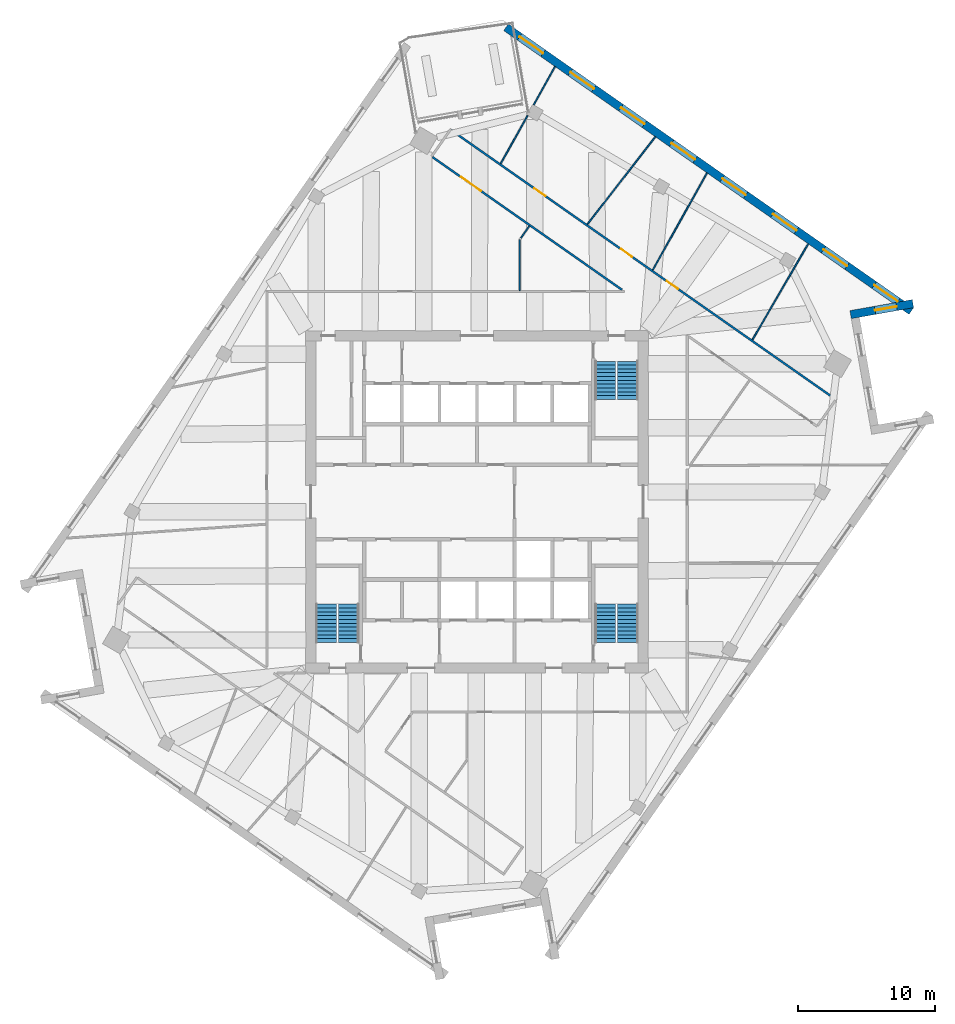
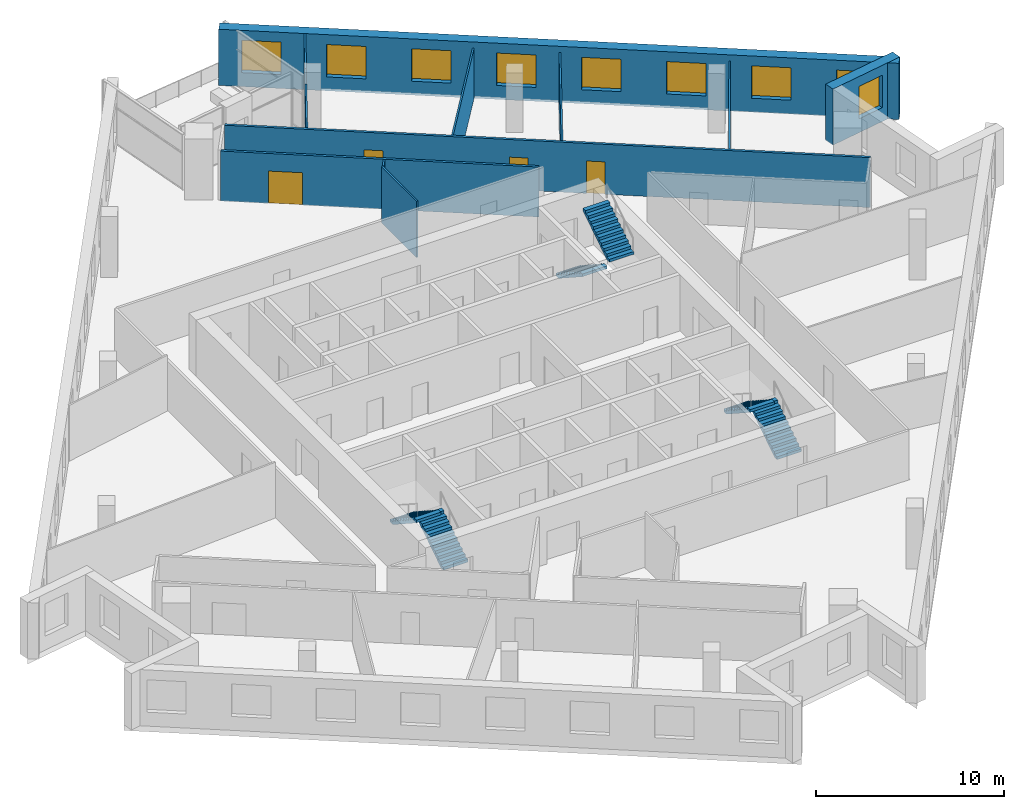
# One storey, part 11 of 13: 11 walls, 9 windows, 6 stair flights, 4 doors, 13 openings, 3 elements without a shape of their own.
"""IFC4 building model written with IfcOpenShell, lengths in metres."""

import ifcopenshell
import ifcopenshell.guid

model = None  # the IFC model being written
_history = None  # IfcOwnerHistory: only IFC2X3 demands one
_inside = {}  # id of a spatial element -> (the spatial element, [elements in it])
_under = {}  # id of a project, library or spatial element -> (it, [spatial elements below it])
_declared = {}  # id of a project -> (the project, [libraries it declares])
_typed = {}  # id of a type object -> (the type object, [elements of that type])
_made_of = {}  # id of a material, layer set ... -> (it, [elements and type objects made of it])


def new_model(schema):
    """Start an empty IFC model of exactly this schema.

    Asked for "IFC4X3", IfcOpenShell would pick the latest addendum, in which some entities
    have other attributes; the version numbers below select the first issue.
    IFC2X3 requires an IfcOwnerHistory on every rooted entity: one is made here for all.
    """
    global model, _history
    if schema == "IFC4X3":
        model = ifcopenshell.file(schema_version=(4, 3, 0, 0))
    else:
        model = ifcopenshell.file(schema=schema)
    _inside.clear()
    _under.clear()
    _declared.clear()
    _typed.clear()
    _made_of.clear()
    _history = None
    if model.schema == "IFC2X3":
        org = make("IfcOrganization", Name="unknown")
        user = make(
            "IfcPersonAndOrganization",
            ThePerson=make("IfcPerson", FamilyName="unknown"),
            TheOrganization=org,
        )
        app = make(
            "IfcApplication",
            ApplicationDeveloper=org,
            Version="unknown",
            ApplicationFullName="unknown",
            ApplicationIdentifier="unknown",
        )
        _history = make(
            "IfcOwnerHistory",
            OwningUser=user,
            OwningApplication=app,
            ChangeAction="ADDED",
            CreationDate=0,
        )
    return model


def make(cls, **values):
    """One entity of the class cls with the attributes given. An attribute that is None is left unset."""
    return model.create_entity(
        cls, **{name: value for name, value in values.items() if value is not None}
    )


def rooted(cls, **values):
    """An entity with a GlobalId (a new one), such as an element, a storey or a relation."""
    return make(cls, GlobalId=ifcopenshell.guid.new(), OwnerHistory=_history, **values)


def si_unit(unit_type, name, prefix=None):
    """IfcSIUnit, for example si_unit("LENGTHUNIT", "METRE", prefix="MILLI")."""
    return make("IfcSIUnit", UnitType=unit_type, Prefix=prefix, Name=name)


def assignment(units):
    """IfcUnitAssignment: the units of a project."""
    return None if units is None else make("IfcUnitAssignment", Units=units)


def point(xyz):
    """IfcCartesianPoint."""
    return None if xyz is None else make("IfcCartesianPoint", Coordinates=xyz)


def direction(xyz):
    """IfcDirection."""
    return None if xyz is None else make("IfcDirection", DirectionRatios=xyz)


def frame(location, z_axis=None, x_axis=None):
    """IfcAxis2Placement3D, a coordinate frame: its origin and axes. An axis left out is left unset."""
    return make(
        "IfcAxis2Placement3D",
        Location=point(location),
        Axis=direction(z_axis),
        RefDirection=direction(x_axis),
    )


def frame_2d(location, x_axis=None):
    """IfcAxis2Placement2D, a coordinate frame in the plane: its origin and x axis."""
    return make(
        "IfcAxis2Placement2D", Location=point(location), RefDirection=direction(x_axis)
    )


def origin():
    """The frame at (0, 0, 0) with its axes left unset."""
    return frame((0.0, 0.0, 0.0))


def place(relative_to, where):
    """IfcLocalPlacement: puts the frame where relative to a parent placement (None: the world)."""
    return make(
        "IfcLocalPlacement", PlacementRelTo=relative_to, RelativePlacement=where
    )


def context(
    kind, dimensions, precision=None, world=None, true_north=None, identifier=None
):
    """IfcGeometricRepresentationContext, for example the 3D "Model" context."""
    return make(
        "IfcGeometricRepresentationContext",
        ContextIdentifier=identifier,
        ContextType=kind,
        CoordinateSpaceDimension=dimensions,
        Precision=precision,
        WorldCoordinateSystem=world,
        TrueNorth=true_north,
    )


def subcontext(parent, identifier, kind, view, scale=None):
    """IfcGeometricRepresentationSubContext, for example "Body" below "Model"."""
    return make(
        "IfcGeometricRepresentationSubContext",
        ContextIdentifier=identifier,
        ContextType=kind,
        ParentContext=parent,
        TargetScale=scale,
        TargetView=view,
    )


def project(units=None, contexts=None):
    """IfcProject with its units and contexts."""
    return rooted(
        "IfcProject",
        Name="project",
        RepresentationContexts=contexts,
        UnitsInContext=assignment(units),
    )


def spatial(cls, under=None, at=None, **own):
    """A site, building, storey or space (cls), placed at a placement, below another one or the project."""
    s = rooted(cls, ObjectPlacement=at, **own)
    if under is not None:
        _under.setdefault(under.id(), (under, []))[1].append(s)
    return s


def polyline(points):
    """IfcPolyline through the points."""
    return make("IfcPolyline", Points=[point(p) for p in points])


def profile(cls, at=None, kind="AREA", **sizes):
    """A parametric profile (cls). Its sizes go by their IFC names, for example OverallWidth=200.0."""
    return make(cls, ProfileType=kind, Position=at, **sizes)


def rectangle(**sizes):
    """IfcRectangleProfileDef."""
    return profile("IfcRectangleProfileDef", **sizes)


def outline(outer, holes=None, kind="AREA"):
    """IfcArbitraryClosedProfileDef: a profile drawn as a closed curve; with holes, ...WithVoids."""
    if holes is None:
        return make("IfcArbitraryClosedProfileDef", ProfileType=kind, OuterCurve=outer)
    return make(
        "IfcArbitraryProfileDefWithVoids",
        ProfileType=kind,
        OuterCurve=outer,
        InnerCurves=holes,
    )


def extrude(swept, where, along, depth):
    """IfcExtrudedAreaSolid: the profile swept, set in the frame where, extruded along a direction by depth."""
    return make(
        "IfcExtrudedAreaSolid",
        SweptArea=swept,
        Position=where,
        ExtrudedDirection=direction(along),
        Depth=depth,
    )


def shape(context_of_items, identifier, shape_type, items):
    """IfcShapeRepresentation: the items that make up one representation, for example the "Body"."""
    return make(
        "IfcShapeRepresentation",
        ContextOfItems=context_of_items,
        RepresentationIdentifier=identifier,
        RepresentationType=shape_type,
        Items=items,
    )


def material(Name=None, Category=None):
    """IfcMaterial."""
    return make("IfcMaterial", Name=Name, Category=Category)


def layer(
    of_material, thickness, ventilated=None, Name=None, Category=None, Priority=None
):
    """IfcMaterialLayer: one layer of a wall or slab, of a material (None: an air gap)."""
    return make(
        "IfcMaterialLayer",
        Material=of_material,
        LayerThickness=thickness,
        IsVentilated=ventilated,
        Name=Name,
        Category=Category,
        Priority=Priority,
    )


def layer_set(layers, Name=None):
    """IfcMaterialLayerSet."""
    return make("IfcMaterialLayerSet", MaterialLayers=layers, LayerSetName=Name)


def made_of(thing, what):
    """Note that an element or type object is made of a material, layer set ...; save() writes the relation."""
    if what is not None:
        _made_of.setdefault(what.id(), (what, []))[1].append(thing)
    return thing


def type_object(cls, material=None, **own):
    """A type object (cls), such as IfcWallType, which elements share."""
    return made_of(rooted(cls, **own), material)


def element(
    cls,
    number,
    at=None,
    inside=None,
    cuts=None,
    type_object=None,
    material=None,
    context=None,
    identifier="Body",
    shape_type=None,
    held_by="IfcProductDefinitionShape",
    body=None,
    shapes=None,
    **own,
):
    """One element of the class cls, such as IfcWall. Its Tag is "e" and its number.

    at: its placement. inside: the storey or other place that contains it. cuts: it is an
    opening in that element (IfcRelVoidsElement). A single representation is given by context,
    identifier, shape_type and body (its items); several are given by shapes. held_by: the class
    of the entity that holds the representations. save() writes the other relations.
    """
    e = rooted(cls, Tag="e%d" % number, ObjectPlacement=at, **own)
    if body is not None:
        shapes = [shape(context, identifier, shape_type, body)]
    if shapes is not None:
        e.Representation = make(held_by, Representations=shapes)
    if inside is not None:
        _inside.setdefault(inside.id(), (inside, []))[1].append(e)
    if cuts is not None:
        rooted(
            "IfcRelVoidsElement", RelatingBuildingElement=cuts, RelatedOpeningElement=e
        )
    if type_object is not None:
        _typed.setdefault(type_object.id(), (type_object, []))[1].append(e)
    return made_of(e, material)


def fill(opening, filler):
    """IfcRelFillsElement: the door or window that sits in an opening."""
    return rooted(
        "IfcRelFillsElement",
        RelatingOpeningElement=opening,
        RelatedBuildingElement=filler,
    )


def aggregate(whole, parts):
    """IfcRelAggregates: a whole, such as a stair, and the parts it consists of."""
    return rooted("IfcRelAggregates", RelatingObject=whole, RelatedObjects=parts)


def save(model, path):
    """Write the relations noted so far, then the file.

    IfcRelAggregates (storeys below a building ...), IfcRelContainedInSpatialStructure (elements
    in a storey), IfcRelDefinesByType, IfcRelAssociatesMaterial and IfcRelDeclares: one each for
    every whole, place, type object, material and project.
    """
    for whole, parts in _under.values():
        aggregate(whole, parts)
    for where, things in _inside.values():
        rooted(
            "IfcRelContainedInSpatialStructure",
            RelatedElements=things,
            RelatingStructure=where,
        )
    for kind, things in _typed.values():
        rooted("IfcRelDefinesByType", RelatedObjects=things, RelatingType=kind)
    for what, things in _made_of.values():
        rooted("IfcRelAssociatesMaterial", RelatedObjects=things, RelatingMaterial=what)
    for by, libraries in _declared.values():
        rooted("IfcRelDeclares", RelatingContext=by, RelatedDefinitions=libraries)
    model.write(path)


model = new_model("IFC4")

# Units and contexts
model_context = context("Model", 3, precision=1e-05, world=origin(), true_north=direction((0.0, 1.0)))
body_context = subcontext(model_context, "Body", "Model", "MODEL_VIEW")
ifc_project = project(units=[si_unit("LENGTHUNIT", "METRE"), si_unit("AREAUNIT", "SQUARE_METRE"), si_unit("VOLUMEUNIT", "CUBIC_METRE"), si_unit("PLANEANGLEUNIT", "RADIAN"), si_unit("MASSUNIT", "GRAM", prefix="KILO")], contexts=[model_context])

# Site, building, storey
site_placement = place(None, origin())
site = spatial("IfcSite", under=ifc_project, at=site_placement, CompositionType="ELEMENT")
building_placement = place(site_placement, origin())
building = spatial("IfcBuilding", under=site, at=building_placement, Name="Dilmun Exchange Tower", CompositionType="ELEMENT")
storey_placement = place(building_placement, frame((0.0, 0.0, 246.89990234375)))
storey = spatial("IfcBuildingStorey", under=building, at=storey_placement, Name="L58", CompositionType="ELEMENT", Elevation=246.89990234375)

# Wall, opening, door
ifc_material_1 = material(Name="Corridor wall 150")
ifc_layer_1 = layer(ifc_material_1, 0.14990234375)
ifc_layer_set_1 = layer_set([ifc_layer_1], Name="Corridor wall 150")
wall_type_1 = type_object("IfcWallType", Name="Corridor wall 150", PredefinedType="PARTITIONING", material=ifc_layer_set_1)
wall_1_placement = place(storey_placement, frame((-3.265625, 25.260009765625, 0.0), z_axis=(0.0, 0.0, 1.0), x_axis=(0.819150723298, -0.573578322917, 0.0)))
wall_1 = element("IfcWall", 1, at=wall_1_placement, inside=storey, type_object=wall_type_1, Name="Corridor wall", PredefinedType="PARTITIONING", context=body_context, shape_type="SweptSolid", body=[
    extrude(rectangle(XDim=16.95263671875, YDim=0.14990234375, at=frame_2d((8.476318359375, 0.0))), origin(), (0.0, 0.0, 1.0), 3.239990234375),
])
opening_1_placement = place(wall_1_placement, frame((2.550048828125, 0.0, 0.0)))
opening_1 = element("IfcOpeningElement", 2, at=opening_1_placement, cuts=wall_1, Name="Opening TF57-D07", PredefinedType="OPENING", context=body_context, shape_type="SweptSolid", body=[
    extrude(rectangle(XDim=1.800048828125, YDim=2.10009765625, at=frame_2d((0.89990234375, 1.050048828125))), frame((0.0, 0.0849609375, 0.0), z_axis=(0.0, -1.0, 0.0), x_axis=(1.0, 0.0, 0.0)), (0.0, 0.0, 1.0), 0.169921875),
])
ifc_material_2 = material(Name="Fire door pair 1800 x 2100")
door_type_1 = type_object("IfcDoorType", Name="Fire door pair 1800 x 2100", OperationType="NOTDEFINED", PredefinedType="DOOR", material=ifc_material_2)
door_1_placement = place(opening_1_placement, frame((1.800048828125, 0.0, 0.0), z_axis=(0.0, 0.0, 1.0), x_axis=(-1.0, 0.0, 0.0)))
door_1 = element("IfcDoor", 3, at=door_1_placement, inside=storey, type_object=door_type_1, Name="Door TF57-D07", OperationType="DOUBLE_DOOR_SINGLE_SWING", OverallHeight=2.10009765625, OverallWidth=1.800048828125, PredefinedType="DOOR", context=body_context, shape_type="SweptSolid", body=[
    extrude(rectangle(XDim=1.800048828125, YDim=2.10009765625, at=frame_2d((0.89990234375, 1.050048828125))), frame((0.0, 0.02490234375, 0.0), z_axis=(0.0, -1.0, 0.0), x_axis=(1.0, 0.0, 0.0)), (0.0, 0.0, 1.0), 0.050048828125),
])
fill(opening_1, door_1)

# Wall, openings, doors
wall_2_placement = place(storey_placement, frame((-1.8896484375, 27.22607421875, 0.0), z_axis=(0.0, 0.0, 1.0), x_axis=(0.819163235761, -0.573560452941, 0.0)))
wall_2 = element("IfcWall", 4, at=wall_2_placement, inside=storey, type_object=wall_type_1, Name="Corridor wall", PredefinedType="PARTITIONING", context=body_context, shape_type="SweptSolid", body=[
    extrude(rectangle(XDim=34.403076171875, YDim=0.14990234375, at=frame_2d((17.20166015625, 0.0))), origin(), (0.0, 0.0, 1.0), 3.239990234375),
])
opening_2_placement = place(wall_2_placement, frame((7.427490234375, 0.0, 0.0)))
opening_2 = element("IfcOpeningElement", 5, at=opening_2_placement, cuts=wall_2, Name="Opening TF57-D13", PredefinedType="OPENING", context=body_context, shape_type="SweptSolid", body=[
    extrude(rectangle(XDim=1.0, YDim=2.10009765625, at=frame_2d((0.5, 1.050048828125))), frame((0.0, 0.0849609375, 0.0), z_axis=(0.0, -1.0, 0.0), x_axis=(1.0, 0.0, 0.0)), (0.0, 0.0, 1.0), 0.169921875),
])
opening_3_placement = place(wall_2_placement, frame((15.1728515625, 0.0, 0.0)))
opening_3 = element("IfcOpeningElement", 6, at=opening_3_placement, cuts=wall_2, Name="Opening TF57-D14", PredefinedType="OPENING", context=body_context, shape_type="SweptSolid", body=[
    extrude(rectangle(XDim=1.0, YDim=2.10009765625, at=frame_2d((0.5, 1.050048828125))), frame((0.0, 0.0849609375, 0.0), z_axis=(0.0, -1.0, 0.0), x_axis=(1.0, 0.0, 0.0)), (0.0, 0.0, 1.0), 0.169921875),
])
opening_4_placement = place(wall_2_placement, frame((19.272705078125, 0.0, 0.0)))
opening_4 = element("IfcOpeningElement", 7, at=opening_4_placement, cuts=wall_2, Name="Opening TF57-D16", PredefinedType="OPENING", context=body_context, shape_type="SweptSolid", body=[
    extrude(rectangle(XDim=1.0, YDim=2.10009765625, at=frame_2d((0.5, 1.050048828125))), frame((0.0, 0.0849609375, 0.0), z_axis=(0.0, -1.0, 0.0), x_axis=(1.0, 0.0, 0.0)), (0.0, 0.0, 1.0), 0.169921875),
])
ifc_material_3 = material(Name="Fire door 1000 x 2100")
door_type_2 = type_object("IfcDoorType", Name="Fire door 1000 x 2100", OperationType="NOTDEFINED", PredefinedType="DOOR", material=ifc_material_3)
door_2_placement = place(opening_2_placement, origin())
door_2 = element("IfcDoor", 8, at=door_2_placement, inside=storey, type_object=door_type_2, Name="Door TF57-D13", OperationType="SINGLE_SWING_LEFT", OverallHeight=2.10009765625, OverallWidth=1.0, PredefinedType="DOOR", context=body_context, shape_type="SweptSolid", body=[
    extrude(rectangle(XDim=1.0, YDim=2.10009765625, at=frame_2d((0.5, 1.050048828125))), frame((0.0, 0.02490234375, 0.0), z_axis=(0.0, -1.0, 0.0), x_axis=(1.0, 0.0, 0.0)), (0.0, 0.0, 1.0), 0.050048828125),
])
fill(opening_2, door_2)
door_3_placement = place(opening_3_placement, origin())
door_3 = element("IfcDoor", 9, at=door_3_placement, inside=storey, type_object=door_type_2, Name="Door TF57-D14", OperationType="SINGLE_SWING_RIGHT", OverallHeight=2.10009765625, OverallWidth=1.0, PredefinedType="DOOR", context=body_context, shape_type="SweptSolid", body=[
    extrude(rectangle(XDim=1.0, YDim=2.10009765625, at=frame_2d((0.5, 1.050048828125))), frame((0.0, 0.02490234375, 0.0), z_axis=(0.0, -1.0, 0.0), x_axis=(1.0, 0.0, 0.0)), (0.0, 0.0, 1.0), 0.050048828125),
])
fill(opening_3, door_3)
door_4_placement = place(opening_4_placement, origin())
door_4 = element("IfcDoor", 10, at=door_4_placement, inside=storey, type_object=door_type_2, Name="Door TF57-D16", OperationType="SINGLE_SWING_LEFT", OverallHeight=2.10009765625, OverallWidth=1.0, PredefinedType="DOOR", context=body_context, shape_type="SweptSolid", body=[
    extrude(rectangle(XDim=1.0, YDim=2.10009765625, at=frame_2d((0.5, 1.050048828125))), frame((0.0, 0.02490234375, 0.0), z_axis=(0.0, -1.0, 0.0), x_axis=(1.0, 0.0, 0.0)), (0.0, 0.0, 1.0), 0.050048828125),
])
fill(opening_4, door_4)

# Walls
ifc_material_4 = material(Name="Partition 100")
ifc_layer_2 = layer(ifc_material_4, 0.10009765625)
ifc_layer_set_2 = layer_set([ifc_layer_2], Name="Partition 100")
wall_type_2 = type_object("IfcWallType", Name="Partition 100", PredefinedType="PARTITIONING", material=ifc_layer_set_2)
wall_3_placement = place(storey_placement, frame((1.7392578125, 24.783203125, 0.0), z_axis=(0.0, 0.0, 1.0), x_axis=(0.488204523876, 0.872729249462, 0.0)))
element("IfcWall", 11, at=wall_3_placement, inside=storey, type_object=wall_type_2, Name="Partition", PredefinedType="PARTITIONING", context=body_context, shape_type="SweptSolid", body=[
    extrude(rectangle(XDim=4.026611328125, YDim=0.10009765625, at=frame_2d((2.01318359375, 0.0))), origin(), (0.0, 0.0, 1.0), 3.239990234375),
])
wall_4_placement = place(storey_placement, frame((3.1298828125, 15.47509765625, 0.0), z_axis=(0.0, 0.0, 1.0), x_axis=(0.0, 1.0, 0.0)))
element("IfcWall", 12, at=wall_4_placement, inside=storey, type_object=wall_type_2, Name="Partition", PredefinedType="PARTITIONING", context=body_context, shape_type="SweptSolid", body=[
    extrude(rectangle(XDim=3.73095703125, YDim=0.10009765625, at=frame_2d((1.865478515625, 0.0))), origin(), (0.0, 0.0, 1.0), 3.64013671875),
])
wall_5_placement = place(storey_placement, frame((3.220947265625, 19.336181640625, 0.0), z_axis=(0.0, 0.0, 1.0), x_axis=(0.573214319636, 0.819405481898, 0.0)))
element("IfcWall", 13, at=wall_5_placement, inside=storey, type_object=wall_type_2, Name="Partition", PredefinedType="PARTITIONING", context=body_context, shape_type="SweptSolid", body=[
    extrude(rectangle(XDim=1.05712890625, YDim=0.10009765625, at=frame_2d((0.528564453125, 0.0))), origin(), (0.0, 0.0, 1.0), 3.239990234375),
])
wall_6_placement = place(storey_placement, frame((4.14453125, 29.0830078125, 0.0), z_axis=(0.0, 0.0, 1.0), x_axis=(0.488182285446, 0.872741689263, 0.0)))
element("IfcWall", 14, at=wall_6_placement, inside=storey, type_object=wall_type_2, Name="Partition", PredefinedType="PARTITIONING", context=body_context, shape_type="SweptSolid", body=[
    extrude(rectangle(XDim=3.213623046875, YDim=0.10009765625, at=frame_2d((1.60693359375, 0.0))), origin(), (0.0, 0.0, 1.0), 3.64013671875),
])
wall_7_placement = place(storey_placement, frame((8.088623046875, 20.334228515625, 0.0), z_axis=(0.0, 0.0, 1.0), x_axis=(0.613179783631, 0.789943385912, 0.0)))
element("IfcWall", 15, at=wall_7_placement, inside=storey, type_object=wall_type_2, Name="Partition", PredefinedType="PARTITIONING", context=body_context, shape_type="SweptSolid", body=[
    extrude(rectangle(XDim=8.111572265625, YDim=0.10009765625, at=frame_2d((4.0556640625, 0.0))), origin(), (0.0, 0.0, 1.0), 3.239990234375),
])
wall_8_placement = place(storey_placement, frame((12.876220703125, 16.985107421875, 0.0), z_axis=(0.0, 0.0, 1.0), x_axis=(0.487744732035, 0.872986297929, 0.0)))
element("IfcWall", 16, at=wall_8_placement, inside=storey, type_object=wall_type_2, Name="Partition", PredefinedType="PARTITIONING", context=body_context, shape_type="SweptSolid", body=[
    extrude(rectangle(XDim=8.140869140625, YDim=0.10009765625, at=frame_2d((4.0703125, 0.0))), origin(), (0.0, 0.0, 1.0), 3.239990234375),
])
wall_9_placement = place(storey_placement, frame((20.177001953125, 11.872802734375, 0.0), z_axis=(0.0, 0.0, 1.0), x_axis=(0.502475319919, 0.864591552626, 0.0)))
element("IfcWall", 17, at=wall_9_placement, inside=storey, type_object=wall_type_2, Name="Partition", PredefinedType="PARTITIONING", context=body_context, shape_type="SweptSolid", body=[
    extrude(rectangle(XDim=8.128173828125, YDim=0.10009765625, at=frame_2d((4.06396484375, 0.0))), origin(), (0.0, 0.0, 1.0), 3.239990234375),
])

# Wall, opening, window
ifc_material_5 = material(Name="Precast concrete C50/60", Category="concrete")
ifc_layer_3 = layer(ifc_material_5, 0.60009765625)
ifc_layer_set_3 = layer_set([ifc_layer_3], Name="Precast concrete C50/60")
wall_type_3 = type_object("IfcWallType", Name="Precast stone-clad wall 600", PredefinedType="STANDARD", material=ifc_layer_set_3)
wall_10_placement = place(storey_placement, frame((27.3701171875, 13.7158203125, 0.0), z_axis=(0.0, 0.0, 1.0), x_axis=(0.984799990421, 0.173692195754, 0.0)))
wall_10 = element("IfcWall", 18, at=wall_10_placement, inside=storey, type_object=wall_type_3, Name="Facade wall L58-14", PredefinedType="STANDARD", context=body_context, shape_type="SweptSolid", body=[
    extrude(rectangle(XDim=4.6357421875, YDim=0.60009765625, at=frame_2d((2.31787109375, 0.0))), origin(), (0.0, 0.0, 1.0), 3.64013671875),
])
opening_5_placement = place(wall_10_placement, frame((1.81787109375, 0.0, 0.89990234375)))
opening_5 = element("IfcOpeningElement", 19, at=opening_5_placement, cuts=wall_10, Name="Opening W160-210", PredefinedType="OPENING", context=body_context, shape_type="SweptSolid", body=[
    extrude(rectangle(XDim=1.60009765625, YDim=2.10009765625, at=frame_2d((0.800048828125, 1.050048828125))), frame((0.0, 0.31005859375, 0.0), z_axis=(0.0, -1.0, 0.0), x_axis=(1.0, 0.0, 0.0)), (0.0, 0.0, 1.0), 0.6201171875),
])
ifc_material_6 = material(Name="Clear low-emissivity glass in aluminium frame", Category="aluminium")
window_type_1 = type_object("IfcWindowType", Name="Punched window 1600 x 2100", PartitioningType="DOUBLE_PANEL_VERTICAL", PredefinedType="WINDOW", material=ifc_material_6)
window_1_placement = place(opening_5_placement, origin())
window_1 = element("IfcWindow", 20, at=window_1_placement, inside=storey, type_object=window_type_1, Name="Window 15.1", OverallHeight=2.10009765625, OverallWidth=1.60009765625, PartitioningType="SINGLE_PANEL", PredefinedType="WINDOW", context=body_context, shape_type="SweptSolid", body=[
    extrude(rectangle(XDim=1.60009765625, YDim=2.10009765625, at=frame_2d((0.800048828125, 1.050048828125))), frame((0.0, 0.030029296875, 0.0), z_axis=(0.0, -1.0, 0.0), x_axis=(1.0, 0.0, 0.0)), (0.0, 0.0, 1.0), 0.06005859375),
])
fill(opening_5, window_1)

# Wall, openings, windows
wall_11_placement = place(storey_placement, frame((31.815185546875, 13.979736328125, 0.0), z_axis=(0.0, 0.0, 1.0), x_axis=(-0.819152162902, 0.573576266955, 0.0)))
wall_11 = element("IfcWall", 21, at=wall_11_placement, inside=storey, type_object=wall_type_3, Name="Facade wall L58-15", PredefinedType="STANDARD", context=body_context, shape_type="SweptSolid", body=[
    extrude(rectangle(XDim=36.242919921875, YDim=0.60009765625, at=frame_2d((18.12158203125, 0.0))), origin(), (0.0, 0.0, 1.0), 3.64013671875),
])
opening_6_placement = place(wall_11_placement, frame((1.215087890625, 0.0, 0.89990234375)))
opening_6 = element("IfcOpeningElement", 22, at=opening_6_placement, cuts=wall_11, Name="Opening W210-210", PredefinedType="OPENING", context=body_context, shape_type="SweptSolid", body=[
    extrude(rectangle(XDim=2.10009765625, YDim=2.10009765625, at=frame_2d((1.050048828125, 1.050048828125))), frame((0.0, 0.31005859375, 0.0), z_axis=(0.0, -1.0, 0.0), x_axis=(1.0, 0.0, 0.0)), (0.0, 0.0, 1.0), 0.6201171875),
])
opening_7_placement = place(wall_11_placement, frame((5.74560546875, 0.0, 0.89990234375)))
opening_7 = element("IfcOpeningElement", 23, at=opening_7_placement, cuts=wall_11, Name="Opening W210-210", PredefinedType="OPENING", context=body_context, shape_type="SweptSolid", body=[
    extrude(rectangle(XDim=2.10009765625, YDim=2.10009765625, at=frame_2d((1.050048828125, 1.050048828125))), frame((0.0, 0.31005859375, 0.0), z_axis=(0.0, -1.0, 0.0), x_axis=(1.0, 0.0, 0.0)), (0.0, 0.0, 1.0), 0.6201171875),
])
opening_8_placement = place(wall_11_placement, frame((10.27587890625, 0.0, 0.89990234375)))
opening_8 = element("IfcOpeningElement", 24, at=opening_8_placement, cuts=wall_11, Name="Opening W210-210", PredefinedType="OPENING", context=body_context, shape_type="SweptSolid", body=[
    extrude(rectangle(XDim=2.10009765625, YDim=2.10009765625, at=frame_2d((1.050048828125, 1.050048828125))), frame((0.0, 0.31005859375, 0.0), z_axis=(0.0, -1.0, 0.0), x_axis=(1.0, 0.0, 0.0)), (0.0, 0.0, 1.0), 0.6201171875),
])
opening_9_placement = place(wall_11_placement, frame((14.806396484375, 0.0, 0.89990234375)))
opening_9 = element("IfcOpeningElement", 25, at=opening_9_placement, cuts=wall_11, Name="Opening W210-210", PredefinedType="OPENING", context=body_context, shape_type="SweptSolid", body=[
    extrude(rectangle(XDim=2.10009765625, YDim=2.10009765625, at=frame_2d((1.050048828125, 1.050048828125))), frame((0.0, 0.31005859375, 0.0), z_axis=(0.0, -1.0, 0.0), x_axis=(1.0, 0.0, 0.0)), (0.0, 0.0, 1.0), 0.6201171875),
])
opening_10_placement = place(wall_11_placement, frame((19.3369140625, 0.0, 0.89990234375)))
opening_10 = element("IfcOpeningElement", 26, at=opening_10_placement, cuts=wall_11, Name="Opening W210-210", PredefinedType="OPENING", context=body_context, shape_type="SweptSolid", body=[
    extrude(rectangle(XDim=2.10009765625, YDim=2.10009765625, at=frame_2d((1.050048828125, 1.050048828125))), frame((0.0, 0.31005859375, 0.0), z_axis=(0.0, -1.0, 0.0), x_axis=(1.0, 0.0, 0.0)), (0.0, 0.0, 1.0), 0.6201171875),
])
opening_11_placement = place(wall_11_placement, frame((23.8671875, 0.0, 0.89990234375)))
opening_11 = element("IfcOpeningElement", 27, at=opening_11_placement, cuts=wall_11, Name="Opening W210-210", PredefinedType="OPENING", context=body_context, shape_type="SweptSolid", body=[
    extrude(rectangle(XDim=2.10009765625, YDim=2.10009765625, at=frame_2d((1.050048828125, 1.050048828125))), frame((0.0, 0.31005859375, 0.0), z_axis=(0.0, -1.0, 0.0), x_axis=(1.0, 0.0, 0.0)), (0.0, 0.0, 1.0), 0.6201171875),
])
opening_12_placement = place(wall_11_placement, frame((28.397705078125, 0.0, 0.89990234375)))
opening_12 = element("IfcOpeningElement", 28, at=opening_12_placement, cuts=wall_11, Name="Opening W210-210", PredefinedType="OPENING", context=body_context, shape_type="SweptSolid", body=[
    extrude(rectangle(XDim=2.10009765625, YDim=2.10009765625, at=frame_2d((1.050048828125, 1.050048828125))), frame((0.0, 0.31005859375, 0.0), z_axis=(0.0, -1.0, 0.0), x_axis=(1.0, 0.0, 0.0)), (0.0, 0.0, 1.0), 0.6201171875),
])
opening_13_placement = place(wall_11_placement, frame((32.927978515625, 0.0, 0.89990234375)))
opening_13 = element("IfcOpeningElement", 29, at=opening_13_placement, cuts=wall_11, Name="Opening W210-210", PredefinedType="OPENING", context=body_context, shape_type="SweptSolid", body=[
    extrude(rectangle(XDim=2.10009765625, YDim=2.10009765625, at=frame_2d((1.050048828125, 1.050048828125))), frame((0.0, 0.31005859375, 0.0), z_axis=(0.0, -1.0, 0.0), x_axis=(1.0, 0.0, 0.0)), (0.0, 0.0, 1.0), 0.6201171875),
])
window_type_2 = type_object("IfcWindowType", Name="Punched window 2100 x 2100", PartitioningType="DOUBLE_PANEL_VERTICAL", PredefinedType="WINDOW", material=ifc_material_6)
window_2_placement = place(opening_6_placement, origin())
window_2 = element("IfcWindow", 30, at=window_2_placement, inside=storey, type_object=window_type_2, Name="Window 16.1", OverallHeight=2.10009765625, OverallWidth=2.10009765625, PartitioningType="SINGLE_PANEL", PredefinedType="WINDOW", context=body_context, shape_type="SweptSolid", body=[
    extrude(rectangle(XDim=2.10009765625, YDim=2.10009765625, at=frame_2d((1.050048828125, 1.050048828125))), frame((0.0, 0.030029296875, 0.0), z_axis=(0.0, -1.0, 0.0), x_axis=(1.0, 0.0, 0.0)), (0.0, 0.0, 1.0), 0.06005859375),
])
fill(opening_6, window_2)
window_3_placement = place(opening_7_placement, origin())
window_3 = element("IfcWindow", 31, at=window_3_placement, inside=storey, type_object=window_type_2, Name="Window 16.2", OverallHeight=2.10009765625, OverallWidth=2.10009765625, PartitioningType="SINGLE_PANEL", PredefinedType="WINDOW", context=body_context, shape_type="SweptSolid", body=[
    extrude(rectangle(XDim=2.10009765625, YDim=2.10009765625, at=frame_2d((1.050048828125, 1.050048828125))), frame((0.0, 0.030029296875, 0.0), z_axis=(0.0, -1.0, 0.0), x_axis=(1.0, 0.0, 0.0)), (0.0, 0.0, 1.0), 0.06005859375),
])
fill(opening_7, window_3)
window_4_placement = place(opening_8_placement, origin())
window_4 = element("IfcWindow", 32, at=window_4_placement, inside=storey, type_object=window_type_2, Name="Window 16.3", OverallHeight=2.10009765625, OverallWidth=2.10009765625, PartitioningType="SINGLE_PANEL", PredefinedType="WINDOW", context=body_context, shape_type="SweptSolid", body=[
    extrude(rectangle(XDim=2.10009765625, YDim=2.10009765625, at=frame_2d((1.050048828125, 1.050048828125))), frame((0.0, 0.030029296875, 0.0), z_axis=(0.0, -1.0, 0.0), x_axis=(1.0, 0.0, 0.0)), (0.0, 0.0, 1.0), 0.06005859375),
])
fill(opening_8, window_4)
window_5_placement = place(opening_9_placement, origin())
window_5 = element("IfcWindow", 33, at=window_5_placement, inside=storey, type_object=window_type_2, Name="Window 16.4", OverallHeight=2.10009765625, OverallWidth=2.10009765625, PartitioningType="SINGLE_PANEL", PredefinedType="WINDOW", context=body_context, shape_type="SweptSolid", body=[
    extrude(rectangle(XDim=2.10009765625, YDim=2.10009765625, at=frame_2d((1.050048828125, 1.050048828125))), frame((0.0, 0.030029296875, 0.0), z_axis=(0.0, -1.0, 0.0), x_axis=(1.0, 0.0, 0.0)), (0.0, 0.0, 1.0), 0.06005859375),
])
fill(opening_9, window_5)
window_6_placement = place(opening_10_placement, origin())
window_6 = element("IfcWindow", 34, at=window_6_placement, inside=storey, type_object=window_type_2, Name="Window 16.5", OverallHeight=2.10009765625, OverallWidth=2.10009765625, PartitioningType="SINGLE_PANEL", PredefinedType="WINDOW", context=body_context, shape_type="SweptSolid", body=[
    extrude(rectangle(XDim=2.10009765625, YDim=2.10009765625, at=frame_2d((1.050048828125, 1.050048828125))), frame((0.0, 0.030029296875, 0.0), z_axis=(0.0, -1.0, 0.0), x_axis=(1.0, 0.0, 0.0)), (0.0, 0.0, 1.0), 0.06005859375),
])
fill(opening_10, window_6)
window_7_placement = place(opening_11_placement, origin())
window_7 = element("IfcWindow", 35, at=window_7_placement, inside=storey, type_object=window_type_2, Name="Window 16.6", OverallHeight=2.10009765625, OverallWidth=2.10009765625, PartitioningType="SINGLE_PANEL", PredefinedType="WINDOW", context=body_context, shape_type="SweptSolid", body=[
    extrude(rectangle(XDim=2.10009765625, YDim=2.10009765625, at=frame_2d((1.050048828125, 1.050048828125))), frame((0.0, 0.030029296875, 0.0), z_axis=(0.0, -1.0, 0.0), x_axis=(1.0, 0.0, 0.0)), (0.0, 0.0, 1.0), 0.06005859375),
])
fill(opening_11, window_7)
window_8_placement = place(opening_12_placement, origin())
window_8 = element("IfcWindow", 36, at=window_8_placement, inside=storey, type_object=window_type_2, Name="Window 16.7", OverallHeight=2.10009765625, OverallWidth=2.10009765625, PartitioningType="SINGLE_PANEL", PredefinedType="WINDOW", context=body_context, shape_type="SweptSolid", body=[
    extrude(rectangle(XDim=2.10009765625, YDim=2.10009765625, at=frame_2d((1.050048828125, 1.050048828125))), frame((0.0, 0.030029296875, 0.0), z_axis=(0.0, -1.0, 0.0), x_axis=(1.0, 0.0, 0.0)), (0.0, 0.0, 1.0), 0.06005859375),
])
fill(opening_12, window_8)
window_9_placement = place(opening_13_placement, origin())
window_9 = element("IfcWindow", 37, at=window_9_placement, inside=storey, type_object=window_type_2, Name="Window 16.8", OverallHeight=2.10009765625, OverallWidth=2.10009765625, PartitioningType="SINGLE_PANEL", PredefinedType="WINDOW", context=body_context, shape_type="SweptSolid", body=[
    extrude(rectangle(XDim=2.10009765625, YDim=2.10009765625, at=frame_2d((1.050048828125, 1.050048828125))), frame((0.0, 0.030029296875, 0.0), z_axis=(0.0, -1.0, 0.0), x_axis=(1.0, 0.0, 0.0)), (0.0, 0.0, 1.0), 0.06005859375),
])
fill(opening_13, window_9)

# Stair, stair flights
ifc_material_7 = material(Name="Concrete C40/50", Category="concrete")
stair_type = type_object("IfcStairType", Name="Exit stair 1500 half-turn", PredefinedType="HALF_TURN_STAIR", material=ifc_material_7)
stair_1_placement = place(storey_placement, origin())
stair_1 = element("IfcStair", 38, at=stair_1_placement, inside=storey, type_object=stair_type, Name="L58 Protected exit stair ST1", PredefinedType="HALF_TURN_STAIR")
stair_flight_type = type_object("IfcStairFlightType", Name="Exit stair flight 1500", PredefinedType="STRAIGHT", material=ifc_material_7)
stair_flight_1_placement = place(storey_placement, frame((9.39990234375, 10.300048828125, 0.0), z_axis=(0.0, 0.0, 1.0), x_axis=(0.0, -1.0, 0.0)))
stair_flight_1 = element("IfcStairFlight", 39, at=stair_flight_1_placement, type_object=stair_flight_type, Name="ST1 flight 1", NumberOfRisers=11, NumberOfTreads=10, PredefinedType="STRAIGHT", RiserHeight=0.181818182, TreadLength=0.28, context=body_context, shape_type="SweptSolid", body=[
    extrude(outline(polyline([(0.0, 0.0), (0.0, 0.181884765625), (0.280029296875, 0.181884765625), (0.280029296875, 0.363525390625), (0.56005859375, 0.363525390625), (0.56005859375, 0.54541015625), (0.840087890625, 0.54541015625), (0.840087890625, 0.727294921875), (1.1201171875, 0.727294921875), (1.1201171875, 0.9091796875), (1.39990234375, 0.9091796875), (1.39990234375, 1.0908203125), (1.679931640625, 1.0908203125), (1.679931640625, 1.272705078125), (1.9599609375, 1.272705078125), (1.9599609375, 1.45458984375), (2.239990234375, 1.45458984375), (2.239990234375, 1.636474609375), (2.52001953125, 1.636474609375), (2.52001953125, 1.818115234375), (2.800048828125, 1.818115234375), (2.800048828125, 2.0), (2.800048828125, 1.639404296875), (0.275146484375, 0.0), (0.0, 0.0)])), frame((0.0, 0.75, 0.0), z_axis=(0.0, -1.0, 0.0), x_axis=(1.0, 0.0, 0.0)), (0.0, 0.0, 1.0), 1.5),
])
stair_flight_2_placement = place(storey_placement, frame((11.050048828125, 7.5, 2.0), z_axis=(0.0, 0.0, 1.0), x_axis=(0.0, 1.0, 0.0)))
stair_flight_2 = element("IfcStairFlight", 40, at=stair_flight_2_placement, type_object=stair_flight_type, Name="ST1 flight 2", NumberOfRisers=11, NumberOfTreads=10, PredefinedType="STRAIGHT", RiserHeight=0.181818182, TreadLength=0.28, context=body_context, shape_type="SweptSolid", body=[
    extrude(outline(polyline([(0.0, 0.0), (0.0, 0.181884765625), (0.280029296875, 0.181884765625), (0.280029296875, 0.363525390625), (0.56005859375, 0.363525390625), (0.56005859375, 0.54541015625), (0.840087890625, 0.54541015625), (0.840087890625, 0.727294921875), (1.1201171875, 0.727294921875), (1.1201171875, 0.9091796875), (1.39990234375, 0.9091796875), (1.39990234375, 1.0908203125), (1.679931640625, 1.0908203125), (1.679931640625, 1.272705078125), (1.9599609375, 1.272705078125), (1.9599609375, 1.45458984375), (2.239990234375, 1.45458984375), (2.239990234375, 1.636474609375), (2.52001953125, 1.636474609375), (2.52001953125, 1.818115234375), (2.800048828125, 1.818115234375), (2.800048828125, 2.0), (2.800048828125, 1.639404296875), (0.275146484375, 0.0), (0.0, 0.0)])), frame((0.0, 0.75, 0.0), z_axis=(0.0, -1.0, 0.0), x_axis=(1.0, 0.0, 0.0)), (0.0, 0.0, 1.0), 1.5),
])
aggregate(stair_1, [stair_flight_1, stair_flight_2])

stair_2_placement = place(storey_placement, origin())
stair_2 = element("IfcStair", 41, at=stair_2_placement, inside=storey, type_object=stair_type, Name="L58 Protected exit stair ST2", PredefinedType="HALF_TURN_STAIR")
stair_flight_3_placement = place(storey_placement, frame((-9.39990234375, -10.300048828125, 0.0), z_axis=(0.0, 0.0, 1.0), x_axis=(0.0, 1.0, 0.0)))
stair_flight_3 = element("IfcStairFlight", 42, at=stair_flight_3_placement, type_object=stair_flight_type, Name="ST2 flight 1", NumberOfRisers=11, NumberOfTreads=10, PredefinedType="STRAIGHT", RiserHeight=0.181818182, TreadLength=0.28, context=body_context, shape_type="SweptSolid", body=[
    extrude(outline(polyline([(0.0, 0.0), (0.0, 0.181884765625), (0.280029296875, 0.181884765625), (0.280029296875, 0.363525390625), (0.56005859375, 0.363525390625), (0.56005859375, 0.54541015625), (0.840087890625, 0.54541015625), (0.840087890625, 0.727294921875), (1.1201171875, 0.727294921875), (1.1201171875, 0.9091796875), (1.39990234375, 0.9091796875), (1.39990234375, 1.0908203125), (1.679931640625, 1.0908203125), (1.679931640625, 1.272705078125), (1.9599609375, 1.272705078125), (1.9599609375, 1.45458984375), (2.239990234375, 1.45458984375), (2.239990234375, 1.636474609375), (2.52001953125, 1.636474609375), (2.52001953125, 1.818115234375), (2.800048828125, 1.818115234375), (2.800048828125, 2.0), (2.800048828125, 1.639404296875), (0.275146484375, 0.0), (0.0, 0.0)])), frame((0.0, 0.75, 0.0), z_axis=(0.0, -1.0, 0.0), x_axis=(1.0, 0.0, 0.0)), (0.0, 0.0, 1.0), 1.5),
])
stair_flight_4_placement = place(storey_placement, frame((-11.050048828125, -7.5, 2.0), z_axis=(0.0, 0.0, 1.0), x_axis=(0.0, -1.0, 0.0)))
stair_flight_4 = element("IfcStairFlight", 43, at=stair_flight_4_placement, type_object=stair_flight_type, Name="ST2 flight 2", NumberOfRisers=11, NumberOfTreads=10, PredefinedType="STRAIGHT", RiserHeight=0.181818182, TreadLength=0.28, context=body_context, shape_type="SweptSolid", body=[
    extrude(outline(polyline([(0.0, 0.0), (0.0, 0.181884765625), (0.280029296875, 0.181884765625), (0.280029296875, 0.363525390625), (0.56005859375, 0.363525390625), (0.56005859375, 0.54541015625), (0.840087890625, 0.54541015625), (0.840087890625, 0.727294921875), (1.1201171875, 0.727294921875), (1.1201171875, 0.9091796875), (1.39990234375, 0.9091796875), (1.39990234375, 1.0908203125), (1.679931640625, 1.0908203125), (1.679931640625, 1.272705078125), (1.9599609375, 1.272705078125), (1.9599609375, 1.45458984375), (2.239990234375, 1.45458984375), (2.239990234375, 1.636474609375), (2.52001953125, 1.636474609375), (2.52001953125, 1.818115234375), (2.800048828125, 1.818115234375), (2.800048828125, 2.0), (2.800048828125, 1.639404296875), (0.275146484375, 0.0), (0.0, 0.0)])), frame((0.0, 0.75, 0.0), z_axis=(0.0, -1.0, 0.0), x_axis=(1.0, 0.0, 0.0)), (0.0, 0.0, 1.0), 1.5),
])
aggregate(stair_2, [stair_flight_3, stair_flight_4])

stair_3_placement = place(storey_placement, origin())
stair_3 = element("IfcStair", 44, at=stair_3_placement, inside=storey, type_object=stair_type, Name="L58 Protected exit stair ST3", PredefinedType="HALF_TURN_STAIR")
stair_flight_5_placement = place(storey_placement, frame((11.050048828125, -10.300048828125, 0.0), z_axis=(0.0, 0.0, 1.0), x_axis=(0.0, 1.0, 0.0)))
stair_flight_5 = element("IfcStairFlight", 45, at=stair_flight_5_placement, type_object=stair_flight_type, Name="ST3 flight 1", NumberOfRisers=11, NumberOfTreads=10, PredefinedType="STRAIGHT", RiserHeight=0.181818182, TreadLength=0.28, context=body_context, shape_type="SweptSolid", body=[
    extrude(outline(polyline([(0.0, 0.0), (0.0, 0.181884765625), (0.280029296875, 0.181884765625), (0.280029296875, 0.363525390625), (0.56005859375, 0.363525390625), (0.56005859375, 0.54541015625), (0.840087890625, 0.54541015625), (0.840087890625, 0.727294921875), (1.1201171875, 0.727294921875), (1.1201171875, 0.9091796875), (1.39990234375, 0.9091796875), (1.39990234375, 1.0908203125), (1.679931640625, 1.0908203125), (1.679931640625, 1.272705078125), (1.9599609375, 1.272705078125), (1.9599609375, 1.45458984375), (2.239990234375, 1.45458984375), (2.239990234375, 1.636474609375), (2.52001953125, 1.636474609375), (2.52001953125, 1.818115234375), (2.800048828125, 1.818115234375), (2.800048828125, 2.0), (2.800048828125, 1.639404296875), (0.275146484375, 0.0), (0.0, 0.0)])), frame((0.0, 0.75, 0.0), z_axis=(0.0, -1.0, 0.0), x_axis=(1.0, 0.0, 0.0)), (0.0, 0.0, 1.0), 1.5),
])
stair_flight_6_placement = place(storey_placement, frame((9.39990234375, -7.5, 2.0), z_axis=(0.0, 0.0, 1.0), x_axis=(0.0, -1.0, 0.0)))
stair_flight_6 = element("IfcStairFlight", 46, at=stair_flight_6_placement, type_object=stair_flight_type, Name="ST3 flight 2", NumberOfRisers=11, NumberOfTreads=10, PredefinedType="STRAIGHT", RiserHeight=0.181818182, TreadLength=0.28, context=body_context, shape_type="SweptSolid", body=[
    extrude(outline(polyline([(0.0, 0.0), (0.0, 0.181884765625), (0.280029296875, 0.181884765625), (0.280029296875, 0.363525390625), (0.56005859375, 0.363525390625), (0.56005859375, 0.54541015625), (0.840087890625, 0.54541015625), (0.840087890625, 0.727294921875), (1.1201171875, 0.727294921875), (1.1201171875, 0.9091796875), (1.39990234375, 0.9091796875), (1.39990234375, 1.0908203125), (1.679931640625, 1.0908203125), (1.679931640625, 1.272705078125), (1.9599609375, 1.272705078125), (1.9599609375, 1.45458984375), (2.239990234375, 1.45458984375), (2.239990234375, 1.636474609375), (2.52001953125, 1.636474609375), (2.52001953125, 1.818115234375), (2.800048828125, 1.818115234375), (2.800048828125, 2.0), (2.800048828125, 1.639404296875), (0.275146484375, 0.0), (0.0, 0.0)])), frame((0.0, 0.75, 0.0), z_axis=(0.0, -1.0, 0.0), x_axis=(1.0, 0.0, 0.0)), (0.0, 0.0, 1.0), 1.5),
])
aggregate(stair_3, [stair_flight_5, stair_flight_6])

save(model, "model.ifc")
